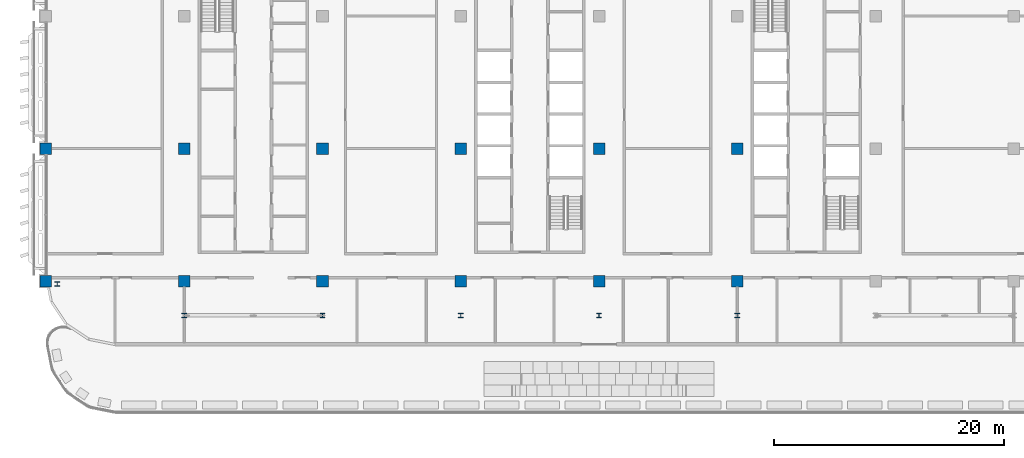
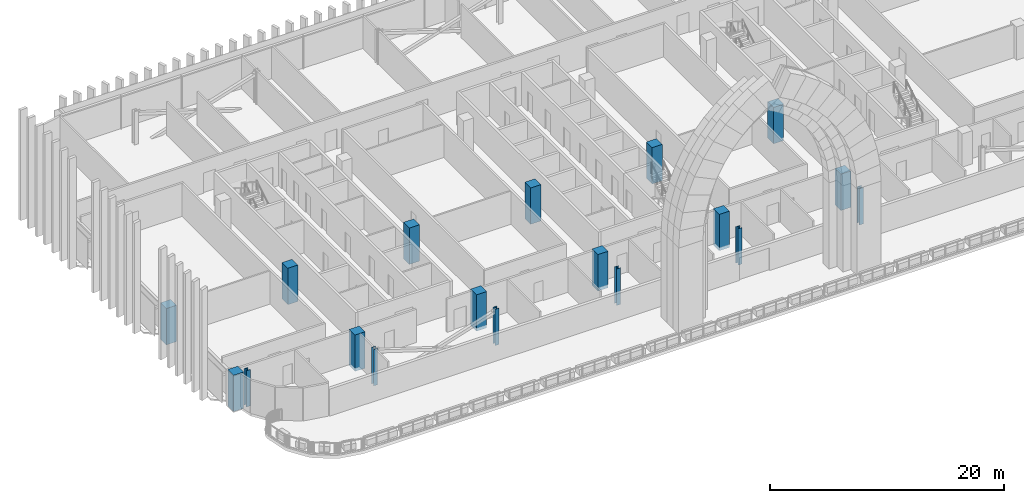
# One storey, part 1 of 30: 18 columns.
"""IFC4 building model written with IfcOpenShell, lengths in metres."""

from ifc_helpers import new_model, si_unit, direction, frame, origin, origin_2d, place, context, subcontext, project, spatial, rectangle, i_section, extrude, material, material_profile, profile_set, type_object, element, save


model = new_model("IFC4")

# Units and contexts
model_context = context("Model", 3, precision=1e-05, world=origin(), true_north=direction((0.0, 1.0)))
body_context = subcontext(model_context, "Body", "Model", "MODEL_VIEW")
ifc_project = project(units=[si_unit("LENGTHUNIT", "METRE"), si_unit("AREAUNIT", "SQUARE_METRE"), si_unit("VOLUMEUNIT", "CUBIC_METRE"), si_unit("PLANEANGLEUNIT", "RADIAN"), si_unit("MASSUNIT", "GRAM", prefix="KILO")], contexts=[model_context])

# Site, building, storey
site_placement = place(None, origin())
site = spatial("IfcSite", under=ifc_project, at=site_placement, CompositionType="ELEMENT")
building_placement = place(site_placement, origin())
building = spatial("IfcBuilding", under=site, at=building_placement, Name="Mahtab Terrace Research Tower", CompositionType="ELEMENT")
storey_placement = place(building_placement, frame((0.0, 0.0, 228.60009765625)))
storey = spatial("IfcBuildingStorey", under=building, at=storey_placement, Name="L55", CompositionType="ELEMENT", Elevation=228.60009765625)

# Columns
ifc_material_1 = material(Name="Concrete C70/85", Category="concrete")
ifc_material_profile_1 = material_profile(ifc_material_1, rectangle(XDim=1.0, YDim=1.0, at=origin_2d()), Name="RC column 1000x1000")
ifc_profile_set_1 = profile_set([ifc_material_profile_1], Name="Concrete C70/85")
column_type_1 = type_object("IfcColumnType", Name="RC column 1000x1000", PredefinedType="COLUMN", material=ifc_profile_set_1)
for number, where, z_axis, x_axis, name in (
    (1, (-42.0, -11.5, -0.340087890625), (0.0, 0.0, 1.0), (1.0, 0.0, 0.0), "Column RC-1A L55"),
    (2, (-42.0, 0.0, -0.340087890625), (0.0, 0.0, 1.0), (1.0, 0.0, 0.0), "Column RC-1B L55"),
    (3, (-30.0, -11.5, -0.340087890625), (0.0, 0.0, 1.0), (1.0, 0.0, 0.0), "Column RC-2A L55"),
    (4, (-30.0, 0.0, -0.340087890625), (0.0, 0.0, 1.0), (1.0, 0.0, 0.0), "Column RC-2B L55"),
    (5, (-18.0, -11.5, -0.340087890625), (0.0, 0.0, 1.0), (1.0, 0.0, 0.0), "Column RC-3A L55"),
    (6, (-18.0, 0.0, -0.340087890625), (0.0, 0.0, 1.0), (1.0, 0.0, 0.0), "Column RC-3B L55"),
    (7, (-6.0, -11.5, -0.340087890625), (0.0, 0.0, 1.0), (1.0, 0.0, 0.0), "Column RC-4A L55"),
    (8, (-6.0, 0.0, -0.340087890625), (0.0, 0.0, 1.0), (1.0, 0.0, 0.0), "Column RC-4B L55"),
    (9, (6.0, -11.5, -0.340087890625), (0.0, 0.0, 1.0), (1.0, 0.0, 0.0), "Column RC-5A L55"),
    (10, (6.0, 0.0, -0.340087890625), (0.0, 0.0, 1.0), (1.0, 0.0, 0.0), "Column RC-5B L55"),
    (11, (18.0, -11.5, -0.340087890625), (0.0, 0.0, 1.0), (1.0, 0.0, 0.0), "Column RC-6A L55"),
    (12, (18.0, 0.0, -0.340087890625), (0.0, 0.0, 1.0), (1.0, 0.0, 0.0), "Column RC-6B L55"),
):
    element("IfcColumn", number, at=place(storey_placement, frame(where, z_axis=z_axis, x_axis=x_axis)), inside=storey, type_object=column_type_1, Name=name, PredefinedType="COLUMN", context=body_context, shape_type="SweptSolid", body=[
        extrude(rectangle(XDim=1.0, YDim=1.0, at=origin_2d()), origin(), (0.0, 0.0, 1.0), 3.800048828125),
    ])
ifc_material_2 = material(Name="Steel ASTM A992 Gr 50", Category="steel")
ifc_material_profile_2 = material_profile(ifc_material_2, i_section(OverallWidth=0.398681640625, OverallDepth=0.385986328125, WebThickness=0.02099609375, FlangeThickness=0.033203125, at=origin_2d()), Name="W14X176")
ifc_profile_set_2 = profile_set([ifc_material_profile_2], Name="Steel ASTM A992 Gr 50")
column_type_2 = type_object("IfcColumnType", Name="W14x176 column CS14176", PredefinedType="COLUMN", material=ifc_profile_set_2)
for number, where, z_axis, x_axis, name in (
    (13, (-41.02099609375, -11.758056640625, -0.340087890625), (0.0, 0.0, 1.0), (1.0, 0.0, 0.0), "Column SC-061 L55"),
    (14, (-30.0, -14.472900390625, -0.340087890625), (0.0, 0.0, 1.0), (1.0, 0.0, 0.0), "Column SC-062 L55"),
    (15, (-18.0, -14.472900390625, -0.340087890625), (0.0, 0.0, 1.0), (1.0, 0.0, 0.0), "Column SC-063 L55"),
    (16, (-6.0, -14.472900390625, -0.340087890625), (0.0, 0.0, 1.0), (1.0, 0.0, 0.0), "Column SC-064 L55"),
    (17, (6.0, -14.472900390625, -0.340087890625), (0.0, 0.0, 1.0), (1.0, 0.0, 0.0), "Column SC-065 L55"),
    (18, (18.0, -14.472900390625, -0.340087890625), (0.0, 0.0, 1.0), (1.0, 0.0, 0.0), "Column SC-066 L55"),
):
    element("IfcColumn", number, at=place(storey_placement, frame(where, z_axis=z_axis, x_axis=x_axis)), inside=storey, type_object=column_type_2, Name=name, PredefinedType="COLUMN", context=body_context, shape_type="SweptSolid", body=[
        extrude(i_section(OverallWidth=0.398681640625, OverallDepth=0.385986328125, WebThickness=0.02099609375, FlangeThickness=0.033203125, at=origin_2d()), origin(), (0.0, 0.0, 1.0), 3.800048828125),
    ])

save(model, "model.ifc")
